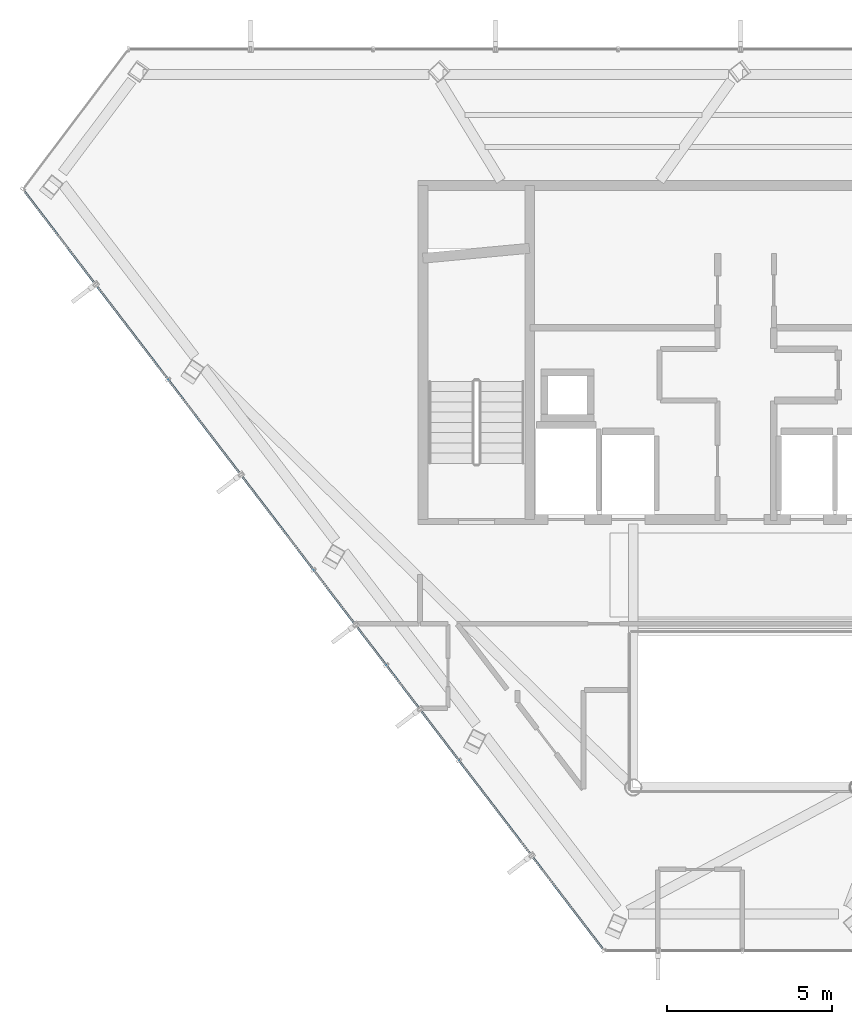
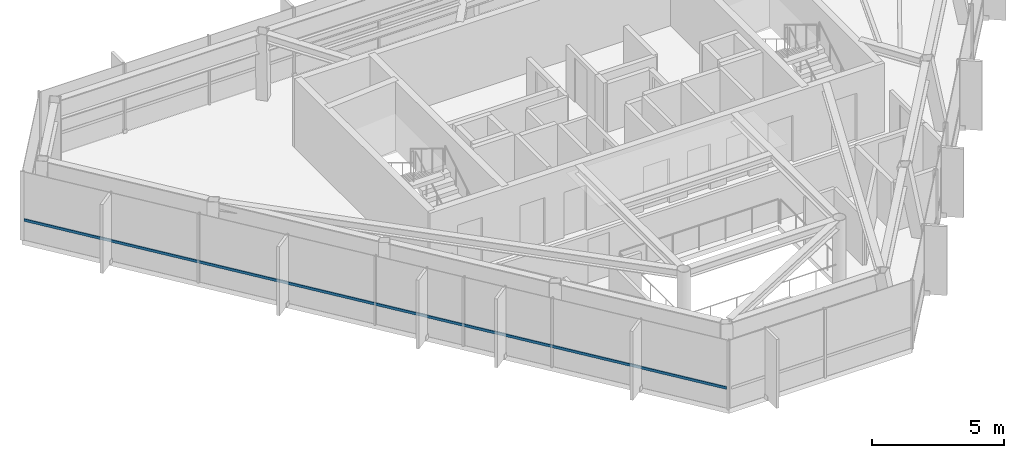
# One storey, part 4 of 22: 1 member, 1 element without a shape of its own.
"""IFC4 building model written with IfcOpenShell, lengths in metres."""

from ifc_helpers import new_model, si_unit, direction, frame, origin, origin_2d, place, context, subcontext, project, spatial, hollow_rectangle, extrude, material, layer, layer_set, material_profile, profile_set, type_object, element, aggregate, save


model = new_model("IFC4")

# Units and contexts
model_context = context("Model", 3, precision=1e-05, world=origin(), true_north=direction((0.0, 1.0)))
body_context = subcontext(model_context, "Body", "Model", "MODEL_VIEW")
ifc_project = project(units=[si_unit("LENGTHUNIT", "METRE"), si_unit("AREAUNIT", "SQUARE_METRE"), si_unit("VOLUMEUNIT", "CUBIC_METRE"), si_unit("PLANEANGLEUNIT", "RADIAN"), si_unit("MASSUNIT", "GRAM", prefix="KILO")], contexts=[model_context])

# Site, building, storey
site_placement = place(None, origin())
site = spatial("IfcSite", under=ifc_project, at=site_placement, CompositionType="ELEMENT")
building_placement = place(site_placement, origin())
building = spatial("IfcBuilding", under=site, at=building_placement, Name="Zarrinselat Tower", CompositionType="ELEMENT")
storey_placement = place(building_placement, frame((0.0, 0.0, 295.800048828125)))
storey = spatial("IfcBuildingStorey", under=building, at=storey_placement, Name="L76", CompositionType="ELEMENT", Elevation=295.800048828125)

# Curtain wall, member
ifc_material_1 = material(Name="Extruded Aluminium Alloy EN AW-6063 T6", Category="aluminium")
ifc_layer = layer(ifc_material_1, 0.169921875)
ifc_layer_set = layer_set([ifc_layer], Name="Extruded Aluminium Alloy EN AW-6063 T6")
curtain_wall_type = type_object("IfcCurtainWallType", Name="CWS-RES", PredefinedType="NOTDEFINED", material=ifc_layer_set)
curtain_wall_placement = place(storey_placement, origin())
curtain_wall = element("IfcCurtainWall", 1, at=curtain_wall_placement, inside=storey, type_object=curtain_wall_type, Name="L76 Unitised Curtain Wall CW-L76-E03", PredefinedType="NOTDEFINED")
ifc_material_2 = material(Name="Extruded Aluminium Alloy EN AW-6063 T6", Category="aluminium")
ifc_material_profile = material_profile(ifc_material_2, hollow_rectangle(XDim=0.06005859375, YDim=0.1201171875, WallThickness=0.00390625, at=origin_2d()), Name="RHS 120x60x4")
ifc_profile_set = profile_set([ifc_material_profile], Name="Extruded Aluminium Alloy EN AW-6063 T6")
member_type = type_object("IfcMemberType", Name="MEM-CW-TRN2", PredefinedType="USERDEFINED", material=ifc_profile_set)
member_placement = place(storey_placement, frame((16.599853515625, 43.216064453125, 0.949951171875), z_axis=(0.606798561208, -0.794855651119, 0.0), x_axis=(0.794855651119, 0.606798561208, 0.0)))
member = element("IfcMember", 2, at=member_placement, type_object=member_type, Name="CW-L76-E03 Transom 1", ObjectType="TRANSOM", PredefinedType="USERDEFINED", context=body_context, shape_type="SweptSolid", body=[
    extrude(hollow_rectangle(XDim=0.06005859375, YDim=0.1201171875, WallThickness=0.00390625, at=origin_2d()), origin(), (0.0, 0.0, 1.0), 28.78564453125),
])
aggregate(curtain_wall, [member])

save(model, "model.ifc")
